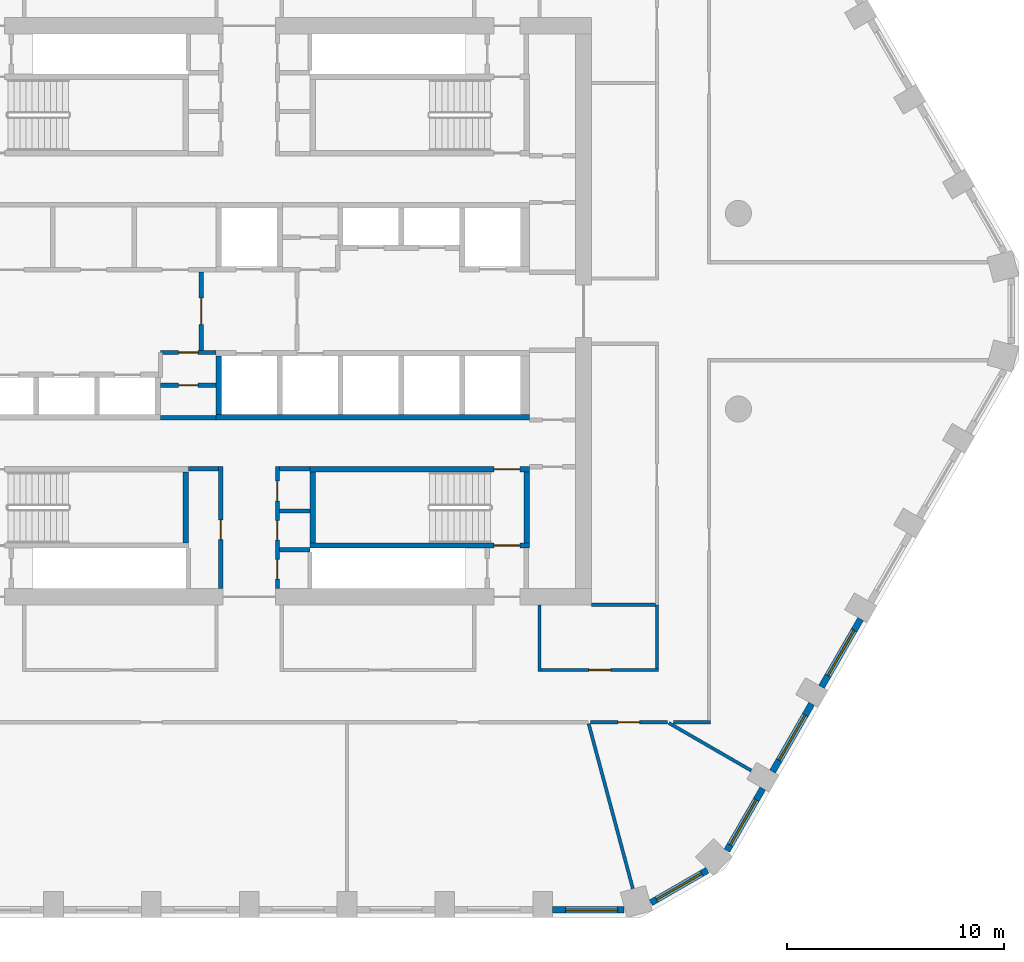
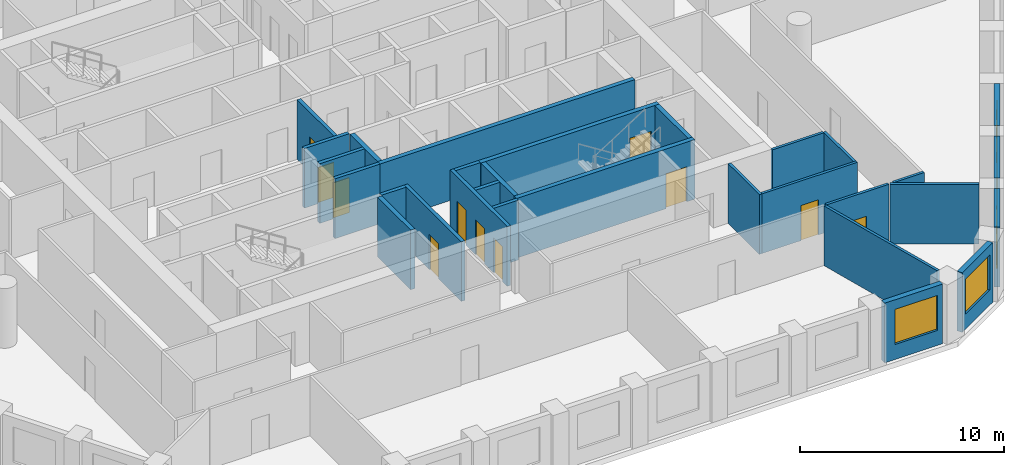
# One storey, part 4 of 10: 30 walls, 11 doors, 5 windows, 16 openings.
"""IFC4 building model written with IfcOpenShell, lengths in metres."""

from ifc_helpers import new_model, si_unit, direction, frame, frame_2d, origin, place, context, subcontext, project, spatial, polyline, rectangle, outline, extrude, material, layer, layer_set, type_object, element, fill, save


model = new_model("IFC4")

# Units and contexts
model_context = context("Model", 3, precision=1e-05, world=origin(), true_north=direction((0.0, 1.0)))
body_context = subcontext(model_context, "Body", "Model", "MODEL_VIEW")
ifc_project = project(units=[si_unit("LENGTHUNIT", "METRE"), si_unit("AREAUNIT", "SQUARE_METRE"), si_unit("VOLUMEUNIT", "CUBIC_METRE"), si_unit("PLANEANGLEUNIT", "RADIAN"), si_unit("MASSUNIT", "GRAM", prefix="KILO")], contexts=[model_context])

# Site, building, storey
site_placement = place(None, origin())
site = spatial("IfcSite", under=ifc_project, at=site_placement, CompositionType="ELEMENT")
building_placement = place(site_placement, origin())
building = spatial("IfcBuilding", under=site, at=building_placement, Name="Dhurran Vertical Campus", CompositionType="ELEMENT")
storey_placement = place(building_placement, frame((0.0, 0.0, 144.300048828125)))
storey = spatial("IfcBuildingStorey", under=building, at=storey_placement, Name="L35", CompositionType="ELEMENT", Elevation=144.300048828125)

# Wall, opening, window
ifc_material_1 = material(Name="Precast concrete C50/60", Category="concrete")
ifc_layer_1 = layer(ifc_material_1, 0.300048828125)
ifc_layer_set_1 = layer_set([ifc_layer_1], Name="Precast concrete C50/60")
wall_type_1 = type_object("IfcWallType", Name="Precast spandrel wall 300", PredefinedType="SOLIDWALL", material=ifc_layer_set_1)
wall_1_placement = place(storey_placement, frame((13.950439453125, -27.53271484375, 0.0), z_axis=(0.0, 0.0, 1.0), x_axis=(1.0, 0.0, 0.0)))
wall_1 = element("IfcWall", 1, at=wall_1_placement, inside=storey, type_object=wall_type_1, Name="EW1 L35.07", PredefinedType="SOLIDWALL", context=body_context, shape_type="SweptSolid", body=[
    extrude(rectangle(XDim=3.294189453125, YDim=0.300048828125, at=frame_2d((1.64697265625, 0.0))), origin(), (0.0, 0.0, 1.0), 3.574951171875),
])
opening_1_placement = place(wall_1_placement, frame((0.599609375, 0.0, 0.89990234375)))
opening_1 = element("IfcOpeningElement", 2, at=opening_1_placement, cuts=wall_1, Name="Opening WT1", PredefinedType="OPENING", context=body_context, shape_type="SweptSolid", body=[
    extrude(rectangle(XDim=2.39990234375, YDim=2.10009765625, at=frame_2d((1.199951171875, 1.050048828125))), frame((0.0, 0.159912109375, 0.0), z_axis=(0.0, -1.0, 0.0), x_axis=(1.0, 0.0, 0.0)), (0.0, 0.0, 1.0), 0.320068359375),
])
ifc_material_2 = material(Name="Aluminium frame with solar-control glass", Category="aluminium")
window_type = type_object("IfcWindowType", Name="Punched window 2400 x 2100", PartitioningType="SINGLE_PANEL", PredefinedType="WINDOW", material=ifc_material_2)
window_1_placement = place(opening_1_placement, origin())
window_1 = element("IfcWindow", 3, at=window_1_placement, inside=storey, type_object=window_type, Name="WT1 L35.07", OverallHeight=2.10009765625, OverallWidth=2.39990234375, PartitioningType="SINGLE_PANEL", PredefinedType="WINDOW", context=body_context, shape_type="SweptSolid", body=[
    extrude(rectangle(XDim=2.39990234375, YDim=2.10009765625, at=frame_2d((1.199951171875, 1.050048828125))), frame((0.0, 0.030029296875, 0.0), z_axis=(0.0, -1.0, 0.0), x_axis=(1.0, 0.0, 0.0)), (0.0, 0.0, 1.0), 0.06005859375),
])
fill(opening_1, window_1)

wall_2_placement = place(storey_placement, frame((18.479248046875, -27.201904296875, 0.0), z_axis=(0.0, 0.0, 1.0), x_axis=(0.866012844897, 0.500021752, 0.0)))
wall_2 = element("IfcWall", 4, at=wall_2_placement, inside=storey, type_object=wall_type_1, Name="EW1 L35.08", PredefinedType="SOLIDWALL", context=body_context, shape_type="SweptSolid", body=[
    extrude(rectangle(XDim=2.989013671875, YDim=0.300048828125, at=frame_2d((1.49462890625, 0.0))), origin(), (0.0, 0.0, 1.0), 3.574951171875),
])
opening_2_placement = place(wall_2_placement, frame((0.294677734375, 0.0, 0.89990234375)))
opening_2 = element("IfcOpeningElement", 5, at=opening_2_placement, cuts=wall_2, Name="Opening WT1", PredefinedType="OPENING", context=body_context, shape_type="SweptSolid", body=[
    extrude(rectangle(XDim=2.39990234375, YDim=2.10009765625, at=frame_2d((1.199951171875, 1.050048828125))), frame((0.0, 0.159912109375, 0.0), z_axis=(0.0, -1.0, 0.0), x_axis=(1.0, 0.0, 0.0)), (0.0, 0.0, 1.0), 0.320068359375),
])
window_2_placement = place(opening_2_placement, origin())
window_2 = element("IfcWindow", 6, at=window_2_placement, inside=storey, type_object=window_type, Name="WT1 L35.08", OverallHeight=2.10009765625, OverallWidth=2.39990234375, PartitioningType="SINGLE_PANEL", PredefinedType="WINDOW", context=body_context, shape_type="SweptSolid", body=[
    extrude(rectangle(XDim=2.39990234375, YDim=2.10009765625, at=frame_2d((1.199951171875, 1.050048828125))), frame((0.0, 0.030029296875, 0.0), z_axis=(0.0, -1.0, 0.0), x_axis=(1.0, 0.0, 0.0)), (0.0, 0.0, 1.0), 0.06005859375),
])
fill(opening_2, window_2)

wall_3_placement = place(storey_placement, frame((21.9716796875, -24.803466796875, 0.0), z_axis=(0.0, 0.0, 1.0), x_axis=(0.500036802197, 0.866004154983, 0.0)))
wall_3 = element("IfcWall", 7, at=wall_3_placement, inside=storey, type_object=wall_type_1, Name="EW1 L35.09", PredefinedType="SOLIDWALL", context=body_context, shape_type="SweptSolid", body=[
    extrude(rectangle(XDim=3.294189453125, YDim=0.300048828125, at=frame_2d((1.64697265625, 0.0))), origin(), (0.0, 0.0, 1.0), 3.574951171875),
])
opening_3_placement = place(wall_3_placement, frame((0.29443359375, 0.0, 0.89990234375)))
opening_3 = element("IfcOpeningElement", 8, at=opening_3_placement, cuts=wall_3, Name="Opening WT1", PredefinedType="OPENING", context=body_context, shape_type="SweptSolid", body=[
    extrude(rectangle(XDim=2.39990234375, YDim=2.10009765625, at=frame_2d((1.199951171875, 1.050048828125))), frame((0.0, 0.159912109375, 0.0), z_axis=(0.0, -1.0, 0.0), x_axis=(1.0, 0.0, 0.0)), (0.0, 0.0, 1.0), 0.320068359375),
])
window_3_placement = place(opening_3_placement, origin())
window_3 = element("IfcWindow", 9, at=window_3_placement, inside=storey, type_object=window_type, Name="WT1 L35.09", OverallHeight=2.10009765625, OverallWidth=2.39990234375, PartitioningType="SINGLE_PANEL", PredefinedType="WINDOW", context=body_context, shape_type="SweptSolid", body=[
    extrude(rectangle(XDim=2.39990234375, YDim=2.10009765625, at=frame_2d((1.199951171875, 1.050048828125))), frame((0.0, 0.030029296875, 0.0), z_axis=(0.0, -1.0, 0.0), x_axis=(1.0, 0.0, 0.0)), (0.0, 0.0, 1.0), 0.06005859375),
])
fill(opening_3, window_3)

wall_4_placement = place(storey_placement, frame((24.0693359375, -21.17041015625, 0.0), z_axis=(0.0, 0.0, 1.0), x_axis=(0.500027802648, 0.866009351323, 0.0)))
wall_4 = element("IfcWall", 10, at=wall_4_placement, inside=storey, type_object=wall_type_1, Name="EW1 L35.10", PredefinedType="SOLIDWALL", context=body_context, shape_type="SweptSolid", body=[
    extrude(rectangle(XDim=3.598876953125, YDim=0.300048828125, at=frame_2d((1.79931640625, 0.0))), origin(), (0.0, 0.0, 1.0), 3.574951171875),
])
opening_4_placement = place(wall_4_placement, frame((0.599609375, 0.0, 0.89990234375)))
opening_4 = element("IfcOpeningElement", 11, at=opening_4_placement, cuts=wall_4, Name="Opening WT1", PredefinedType="OPENING", context=body_context, shape_type="SweptSolid", body=[
    extrude(rectangle(XDim=2.39990234375, YDim=2.10009765625, at=frame_2d((1.199951171875, 1.050048828125))), frame((0.0, 0.159912109375, 0.0), z_axis=(0.0, -1.0, 0.0), x_axis=(1.0, 0.0, 0.0)), (0.0, 0.0, 1.0), 0.320068359375),
])
window_4_placement = place(opening_4_placement, origin())
window_4 = element("IfcWindow", 12, at=window_4_placement, inside=storey, type_object=window_type, Name="WT1 L35.10", OverallHeight=2.10009765625, OverallWidth=2.39990234375, PartitioningType="SINGLE_PANEL", PredefinedType="WINDOW", context=body_context, shape_type="SweptSolid", body=[
    extrude(rectangle(XDim=2.39990234375, YDim=2.10009765625, at=frame_2d((1.199951171875, 1.050048828125))), frame((0.0, 0.030029296875, 0.0), z_axis=(0.0, -1.0, 0.0), x_axis=(1.0, 0.0, 0.0)), (0.0, 0.0, 1.0), 0.06005859375),
])
fill(opening_4, window_4)

wall_5_placement = place(storey_placement, frame((26.3193359375, -17.273193359375, 0.0), z_axis=(0.0, 0.0, 1.0), x_axis=(0.500027802648, 0.866009351323, 0.0)))
wall_5 = element("IfcWall", 13, at=wall_5_placement, inside=storey, type_object=wall_type_1, Name="EW1 L35.11", PredefinedType="SOLIDWALL", context=body_context, shape_type="SweptSolid", body=[
    extrude(rectangle(XDim=3.598876953125, YDim=0.300048828125, at=frame_2d((1.79931640625, 0.0))), origin(), (0.0, 0.0, 1.0), 3.574951171875),
])
opening_5_placement = place(wall_5_placement, frame((0.599609375, 0.0, 0.89990234375)))
opening_5 = element("IfcOpeningElement", 14, at=opening_5_placement, cuts=wall_5, Name="Opening WT1", PredefinedType="OPENING", context=body_context, shape_type="SweptSolid", body=[
    extrude(rectangle(XDim=2.39990234375, YDim=2.10009765625, at=frame_2d((1.199951171875, 1.050048828125))), frame((0.0, 0.159912109375, 0.0), z_axis=(0.0, -1.0, 0.0), x_axis=(1.0, 0.0, 0.0)), (0.0, 0.0, 1.0), 0.320068359375),
])
window_5_placement = place(opening_5_placement, origin())
window_5 = element("IfcWindow", 15, at=window_5_placement, inside=storey, type_object=window_type, Name="WT1 L35.11", OverallHeight=2.10009765625, OverallWidth=2.39990234375, PartitioningType="SINGLE_PANEL", PredefinedType="WINDOW", context=body_context, shape_type="SweptSolid", body=[
    extrude(rectangle(XDim=2.39990234375, YDim=2.10009765625, at=frame_2d((1.199951171875, 1.050048828125))), frame((0.0, 0.030029296875, 0.0), z_axis=(0.0, -1.0, 0.0), x_axis=(1.0, 0.0, 0.0)), (0.0, 0.0, 1.0), 0.06005859375),
])
fill(opening_5, window_5)

# Wall, opening, door
ifc_material_3 = material(Name="Fire-rated masonry blockwork", Category="masonry")
ifc_layer_2 = layer(ifc_material_3, 0.199951171875)
ifc_layer_set_2 = layer_set([ifc_layer_2], Name="Fire-rated masonry blockwork")
wall_type_2 = type_object("IfcWallType", Name="co-FIRE-PARTITION-200", PredefinedType="PARTITIONING", material=ifc_layer_set_2)
wall_6_placement = place(storey_placement, frame((-2.199951171875, -1.800048828125, 0.0), z_axis=(0.0, 0.0, 1.0), x_axis=(0.0, 1.0, 0.0)))
wall_6 = element("IfcWall", 16, at=wall_6_placement, inside=storey, type_object=wall_type_2, Name="Firefighting lobby wall W L35", PredefinedType="PARTITIONING", context=body_context, shape_type="SweptSolid", body=[
    extrude(rectangle(XDim=3.60009765625, YDim=0.199951171875, at=frame_2d((1.800048828125, 0.0))), origin(), (0.0, 0.0, 1.0), 3.574951171875),
])
opening_6_placement = place(wall_6_placement, frame((1.199951171875, 0.0, 0.0)))
opening_6 = element("IfcOpeningElement", 17, at=opening_6_placement, cuts=wall_6, Name="Opening FL1", PredefinedType="OPENING", context=body_context, shape_type="SweptSolid", body=[
    extrude(rectangle(XDim=1.199951171875, YDim=2.10009765625, at=frame_2d((0.60009765625, 1.050048828125))), frame((0.0, 0.10986328125, 0.0), z_axis=(0.0, -1.0, 0.0), x_axis=(1.0, 0.0, 0.0)), (0.0, 0.0, 1.0), 0.219970703125),
])
ifc_material_4 = material(Name="Fire-rated steel door set", Category="steel")
door_type_1 = type_object("IfcDoorType", Name="co-D-FFLOBBY 1200x2100", OperationType="SINGLE_SWING_LEFT", PredefinedType="DOOR", material=ifc_material_4)
door_1_placement = place(opening_6_placement, origin())
door_1 = element("IfcDoor", 18, at=door_1_placement, inside=storey, type_object=door_type_1, Name="Firefighting lobby door W L35", OperationType="SINGLE_SWING_LEFT", OverallHeight=2.10009765625, OverallWidth=1.199951171875, PredefinedType="DOOR", context=body_context, shape_type="SweptSolid", body=[
    extrude(rectangle(XDim=1.199951171875, YDim=2.10009765625, at=frame_2d((0.60009765625, 1.050048828125))), frame((0.0, 0.02490234375, 0.0), z_axis=(0.0, -1.0, 0.0), x_axis=(1.0, 0.0, 0.0)), (0.0, 0.0, 1.0), 0.050048828125),
])
fill(opening_6, door_1)

# Walls
for number, where, z_axis, x_axis, name in (
    (19, (-2.800048828125, -7.25, 0.0), (0.0, 0.0, 1.0), (1.0, 0.0, 0.0), "Core partition sl-SW-S L35"),
    (20, (1.39990234375, -7.25, 0.0), (0.0, 0.0, 1.0), (1.0, 0.0, 0.0), "Core partition sl-SE-S L35"),
    (21, (1.39990234375, -9.18603515625, 0.0), (0.0, 0.0, 1.0), (1.0, 0.0, 0.0), "Core partition sl-SE-cut0 L35"),
    (22, (1.39990234375, -10.968017578125, 0.0), (0.0, 0.0, 1.0), (1.0, 0.0, 0.0), "Core partition sl-SE-cut1 L35"),
):
    element("IfcWall", number, at=place(storey_placement, frame(where, z_axis=z_axis, x_axis=x_axis)), inside=storey, type_object=wall_type_2, Name=name, PredefinedType="PARTITIONING", context=body_context, shape_type="SweptSolid", body=[
        extrude(rectangle(XDim=1.400146484375, YDim=0.199951171875, at=frame_2d((0.7001953125, 0.0))), origin(), (0.0, 0.0, 1.0), 3.574951171875),
    ])

# Wall, opening, door
wall_7_placement = place(storey_placement, frame((-1.300048828125, -12.75, 0.0), z_axis=(0.0, 0.0, 1.0), x_axis=(0.0, 1.0, 0.0)))
wall_7 = element("IfcWall", 23, at=wall_7_placement, inside=storey, type_object=wall_type_2, Name="Core partition vest-SW L35", PredefinedType="PARTITIONING", context=body_context, shape_type="SweptSolid", body=[
    extrude(rectangle(XDim=5.60009765625, YDim=0.199951171875, at=frame_2d((2.800048828125, 0.0))), origin(), (0.0, 0.0, 1.0), 3.574951171875),
])
opening_7_placement = place(wall_7_placement, frame((2.25, 0.0, 0.0)))
opening_7 = element("IfcOpeningElement", 24, at=opening_7_placement, cuts=wall_7, Name="Opening T10-C1", PredefinedType="OPENING", context=body_context, shape_type="SweptSolid", body=[
    extrude(rectangle(XDim=0.89990234375, YDim=2.10009765625, at=frame_2d((0.449951171875, 1.050048828125))), frame((0.0, 0.10986328125, 0.0), z_axis=(0.0, -1.0, 0.0), x_axis=(1.0, 0.0, 0.0)), (0.0, 0.0, 1.0), 0.219970703125),
])
ifc_material_5 = material(Name="Fire-rated timber door set", Category="wood")
door_type_2 = type_object("IfcDoorType", Name="co-D-ROOM 900x2100", OperationType="SINGLE_SWING_LEFT", PredefinedType="DOOR", material=ifc_material_5)
door_2_placement = place(opening_7_placement, origin())
door_2 = element("IfcDoor", 25, at=door_2_placement, inside=storey, type_object=door_type_2, Name="Print room door L35", OperationType="SINGLE_SWING_LEFT", OverallHeight=2.10009765625, OverallWidth=0.89990234375, PredefinedType="DOOR", context=body_context, shape_type="SweptSolid", body=[
    extrude(rectangle(XDim=0.89990234375, YDim=2.10009765625, at=frame_2d((0.449951171875, 1.050048828125))), frame((0.0, 0.02490234375, 0.0), z_axis=(0.0, -1.0, 0.0), x_axis=(1.0, 0.0, 0.0)), (0.0, 0.0, 1.0), 0.050048828125),
])
fill(opening_7, door_2)

# Wall, openings, doors
wall_8_placement = place(storey_placement, frame((1.300048828125, -12.75, 0.0), z_axis=(0.0, 0.0, 1.0), x_axis=(0.0, 1.0, 0.0)))
wall_8 = element("IfcWall", 26, at=wall_8_placement, inside=storey, type_object=wall_type_2, Name="Core partition vest-SE L35", PredefinedType="PARTITIONING", context=body_context, shape_type="SweptSolid", body=[
    extrude(rectangle(XDim=5.60009765625, YDim=0.199951171875, at=frame_2d((2.800048828125, 0.0))), origin(), (0.0, 0.0, 1.0), 3.574951171875),
])
opening_8_placement = place(wall_8_placement, frame((0.44091796875, 0.0, 0.0)))
opening_8 = element("IfcOpeningElement", 27, at=opening_8_placement, cuts=wall_8, Name="Opening T10-C2", PredefinedType="OPENING", context=body_context, shape_type="SweptSolid", body=[
    extrude(rectangle(XDim=0.89990234375, YDim=2.10009765625, at=frame_2d((0.449951171875, 1.050048828125))), frame((0.0, 0.10986328125, 0.0), z_axis=(0.0, -1.0, 0.0), x_axis=(1.0, 0.0, 0.0)), (0.0, 0.0, 1.0), 0.219970703125),
])
opening_9_placement = place(wall_8_placement, frame((2.222900390625, 0.0, 0.0)))
opening_9 = element("IfcOpeningElement", 28, at=opening_9_placement, cuts=wall_8, Name="Opening T10-C3", PredefinedType="OPENING", context=body_context, shape_type="SweptSolid", body=[
    extrude(rectangle(XDim=0.89990234375, YDim=2.10009765625, at=frame_2d((0.449951171875, 1.050048828125))), frame((0.0, 0.10986328125, 0.0), z_axis=(0.0, -1.0, 0.0), x_axis=(1.0, 0.0, 0.0)), (0.0, 0.0, 1.0), 0.219970703125),
])
opening_10_placement = place(wall_8_placement, frame((4.031982421875, 0.0, 0.0)))
opening_10 = element("IfcOpeningElement", 29, at=opening_10_placement, cuts=wall_8, Name="Opening T10-C4", PredefinedType="OPENING", context=body_context, shape_type="SweptSolid", body=[
    extrude(rectangle(XDim=0.89990234375, YDim=2.10009765625, at=frame_2d((0.449951171875, 1.050048828125))), frame((0.0, 0.10986328125, 0.0), z_axis=(0.0, -1.0, 0.0), x_axis=(1.0, 0.0, 0.0)), (0.0, 0.0, 1.0), 0.219970703125),
])
door_3_placement = place(opening_8_placement, origin())
door_3 = element("IfcDoor", 30, at=door_3_placement, inside=storey, type_object=door_type_2, Name="Store door L35", OperationType="SINGLE_SWING_LEFT", OverallHeight=2.10009765625, OverallWidth=0.89990234375, PredefinedType="DOOR", context=body_context, shape_type="SweptSolid", body=[
    extrude(rectangle(XDim=0.89990234375, YDim=2.10009765625, at=frame_2d((0.449951171875, 1.050048828125))), frame((0.0, 0.02490234375, 0.0), z_axis=(0.0, -1.0, 0.0), x_axis=(1.0, 0.0, 0.0)), (0.0, 0.0, 1.0), 0.050048828125),
])
fill(opening_8, door_3)
door_4_placement = place(opening_9_placement, origin())
door_4 = element("IfcDoor", 31, at=door_4_placement, inside=storey, type_object=door_type_2, Name="Housekeeping store door L35", OperationType="SINGLE_SWING_LEFT", OverallHeight=2.10009765625, OverallWidth=0.89990234375, PredefinedType="DOOR", context=body_context, shape_type="SweptSolid", body=[
    extrude(rectangle(XDim=0.89990234375, YDim=2.10009765625, at=frame_2d((0.449951171875, 1.050048828125))), frame((0.0, 0.02490234375, 0.0), z_axis=(0.0, -1.0, 0.0), x_axis=(1.0, 0.0, 0.0)), (0.0, 0.0, 1.0), 0.050048828125),
])
fill(opening_9, door_4)
door_5_placement = place(opening_10_placement, origin())
door_5 = element("IfcDoor", 32, at=door_5_placement, inside=storey, type_object=door_type_2, Name="Plant room door L35", OperationType="SINGLE_SWING_LEFT", OverallHeight=2.10009765625, OverallWidth=0.89990234375, PredefinedType="DOOR", context=body_context, shape_type="SweptSolid", body=[
    extrude(rectangle(XDim=0.89990234375, YDim=2.10009765625, at=frame_2d((0.449951171875, 1.050048828125))), frame((0.0, 0.02490234375, 0.0), z_axis=(0.0, -1.0, 0.0), x_axis=(1.0, 0.0, 0.0)), (0.0, 0.0, 1.0), 0.050048828125),
])
fill(opening_10, door_5)

# Wall, opening, door
wall_9_placement = place(storey_placement, frame((-4.074951171875, -3.39990234375, 0.0), z_axis=(0.0, 0.0, 1.0), x_axis=(1.0, 0.0, 0.0)))
wall_9 = element("IfcWall", 33, at=wall_9_placement, inside=storey, type_object=wall_type_2, Name="Core partition fr-S0-c L35", PredefinedType="PARTITIONING", context=body_context, shape_type="SweptSolid", body=[
    extrude(rectangle(XDim=2.550048828125, YDim=0.199951171875, at=frame_2d((1.27490234375, 0.0))), origin(), (0.0, 0.0, 1.0), 3.574951171875),
])
opening_11_placement = place(wall_9_placement, frame((0.824951171875, 0.0, 0.0)))
opening_11 = element("IfcOpeningElement", 34, at=opening_11_placement, cuts=wall_9, Name="Opening T10-C28", PredefinedType="OPENING", context=body_context, shape_type="SweptSolid", body=[
    extrude(rectangle(XDim=0.89990234375, YDim=2.10009765625, at=frame_2d((0.449951171875, 1.050048828125))), frame((0.0, 0.10986328125, 0.0), z_axis=(0.0, -1.0, 0.0), x_axis=(1.0, 0.0, 0.0)), (0.0, 0.0, 1.0), 0.219970703125),
])
door_6_placement = place(opening_11_placement, origin())
door_6 = element("IfcDoor", 35, at=door_6_placement, inside=storey, type_object=door_type_2, Name="Store door L35", OperationType="SINGLE_SWING_LEFT", OverallHeight=2.10009765625, OverallWidth=0.89990234375, PredefinedType="DOOR", context=body_context, shape_type="SweptSolid", body=[
    extrude(rectangle(XDim=0.89990234375, YDim=2.10009765625, at=frame_2d((0.449951171875, 1.050048828125))), frame((0.0, 0.02490234375, 0.0), z_axis=(0.0, -1.0, 0.0), x_axis=(1.0, 0.0, 0.0)), (0.0, 0.0, 1.0), 0.050048828125),
])
fill(opening_11, door_6)

wall_10_placement = place(storey_placement, frame((-4.074951171875, -1.89990234375, 0.0), z_axis=(0.0, 0.0, 1.0), x_axis=(1.0, 0.0, 0.0)))
wall_10 = element("IfcWall", 36, at=wall_10_placement, inside=storey, type_object=wall_type_2, Name="Core partition fr-S0-f L35", PredefinedType="PARTITIONING", context=body_context, shape_type="SweptSolid", body=[
    extrude(rectangle(XDim=2.550048828125, YDim=0.199951171875, at=frame_2d((1.27490234375, 0.0))), origin(), (0.0, 0.0, 1.0), 3.574951171875),
])
opening_12_placement = place(wall_10_placement, frame((0.824951171875, 0.0, 0.0)))
opening_12 = element("IfcOpeningElement", 37, at=opening_12_placement, cuts=wall_10, Name="Opening T10-C29", PredefinedType="OPENING", context=body_context, shape_type="SweptSolid", body=[
    extrude(rectangle(XDim=0.89990234375, YDim=2.10009765625, at=frame_2d((0.449951171875, 1.050048828125))), frame((0.0, 0.10986328125, 0.0), z_axis=(0.0, -1.0, 0.0), x_axis=(1.0, 0.0, 0.0)), (0.0, 0.0, 1.0), 0.219970703125),
])
door_7_placement = place(opening_12_placement, origin())
door_7 = element("IfcDoor", 38, at=door_7_placement, inside=storey, type_object=door_type_2, Name="Plant room door L35", OperationType="SINGLE_SWING_LEFT", OverallHeight=2.10009765625, OverallWidth=0.89990234375, PredefinedType="DOOR", context=body_context, shape_type="SweptSolid", body=[
    extrude(rectangle(XDim=0.89990234375, YDim=2.10009765625, at=frame_2d((0.449951171875, 1.050048828125))), frame((0.0, 0.02490234375, 0.0), z_axis=(0.0, -1.0, 0.0), x_axis=(1.0, 0.0, 0.0)), (0.0, 0.0, 1.0), 0.050048828125),
])
fill(opening_12, door_7)

# Walls
wall_11_placement = place(storey_placement, frame((-4.074951171875, -4.89990234375, 0.0), z_axis=(0.0, 0.0, 1.0), x_axis=(1.0, 0.0, 0.0)))
element("IfcWall", 39, at=wall_11_placement, inside=storey, type_object=wall_type_2, Name="Core partition fr-S0-b L35", PredefinedType="PARTITIONING", context=body_context, shape_type="SweptSolid", body=[
    extrude(rectangle(XDim=2.550048828125, YDim=0.199951171875, at=frame_2d((1.27490234375, 0.0))), origin(), (0.0, 0.0, 1.0), 3.574951171875),
])
ifc_material_6 = material(Name="Concrete C50/60", Category="concrete")
ifc_layer_3 = layer(ifc_material_6, 0.25)
ifc_layer_set_3 = layer_set([ifc_layer_3], Name="Concrete C50/60")
wall_type_3 = type_object("IfcWallType", Name="co-SHAFT-MASS-250", PredefinedType="SHEAR", material=ifc_layer_set_3)
wall_12_placement = place(storey_placement, origin())
element("IfcWall", 40, at=wall_12_placement, inside=storey, type_object=wall_type_3, Name="Lift shaft wall S L35 2", PredefinedType="SHEAR", context=body_context, shape_type="SweptSolid", body=[
    extrude(outline(polyline([(-1.52490234375, -5.0), (12.89990234375, -5.0), (12.89990234375, -4.75), (-1.52490234375, -4.75), (-1.52490234375, -5.0)])), origin(), (0.0, 0.0, 1.0), 3.574951171875),
])
wall_13_placement = place(storey_placement, origin())
element("IfcWall", 41, at=wall_13_placement, inside=storey, type_object=wall_type_3, Name="Lift shaft wall S L35 7", PredefinedType="SHEAR", context=body_context, shape_type="SweptSolid", body=[
    extrude(outline(polyline([(-1.52490234375, -4.75), (-1.27490234375, -4.75), (-1.27490234375, -2.050048828125), (-1.52490234375, -2.050048828125), (-1.52490234375, -4.75)])), origin(), (0.0, 0.0, 1.0), 3.574951171875),
])
ifc_material_7 = material(Name="Concrete C40/50", Category="concrete")
ifc_layer_4 = layer(ifc_material_7, 0.25)
ifc_layer_set_4 = layer_set([ifc_layer_4], Name="Concrete C40/50")
wall_type_4 = type_object("IfcWallType", Name="co-STAIR-WALL-250", PredefinedType="SHEAR", material=ifc_layer_set_4)
wall_14_placement = place(storey_placement, frame((-2.925048828125, -10.64990234375, 0.0), z_axis=(0.0, 0.0, 1.0), x_axis=(0.0, 1.0, 0.0)))
element("IfcWall", 42, at=wall_14_placement, inside=storey, type_object=wall_type_4, Name="Stair ST3 enclosure wall L35", PredefinedType="SHEAR", context=body_context, shape_type="SweptSolid", body=[
    extrude(rectangle(XDim=3.25, YDim=0.25, at=frame_2d((1.625, 0.0))), origin(), (0.0, 0.0, 1.0), 3.574951171875),
])

# Wall, opening, door
wall_15_placement = place(storey_placement, frame((2.800048828125, -10.77490234375, 0.0), z_axis=(0.0, 0.0, 1.0), x_axis=(1.0, 0.0, 0.0)))
wall_15 = element("IfcWall", 43, at=wall_15_placement, inside=storey, type_object=wall_type_4, Name="Stair ST4 enclosure wall L35", PredefinedType="SHEAR", context=body_context, shape_type="SweptSolid", body=[
    extrude(rectangle(XDim=10.099853515625, YDim=0.25, at=frame_2d((5.0498046875, 0.0))), origin(), (0.0, 0.0, 1.0), 3.574951171875),
])
opening_13_placement = place(wall_15_placement, frame((8.449951171875, 0.0, 0.0)))
opening_13 = element("IfcOpeningElement", 44, at=opening_13_placement, cuts=wall_15, Name="Opening XS4", PredefinedType="OPENING", context=body_context, shape_type="SweptSolid", body=[
    extrude(rectangle(XDim=1.199951171875, YDim=2.10009765625, at=frame_2d((0.60009765625, 1.050048828125))), frame((0.0, 0.135009765625, 0.0), z_axis=(0.0, -1.0, 0.0), x_axis=(1.0, 0.0, 0.0)), (0.0, 0.0, 1.0), 0.27001953125),
])
ifc_material_8 = material(Name="Fire-rated steel door set", Category="steel")
door_type_3 = type_object("IfcDoorType", Name="co-D-STAIR-EXIT 1200x2100", OperationType="SINGLE_SWING_RIGHT", PredefinedType="DOOR", material=ifc_material_8)
door_8_placement = place(opening_13_placement, origin())
door_8 = element("IfcDoor", 45, at=door_8_placement, inside=storey, type_object=door_type_3, Name="Stair ST4 discharge door L35", OperationType="SINGLE_SWING_RIGHT", OverallHeight=2.10009765625, OverallWidth=1.199951171875, PredefinedType="DOOR", context=body_context, shape_type="SweptSolid", body=[
    extrude(rectangle(XDim=1.199951171875, YDim=2.10009765625, at=frame_2d((0.60009765625, 1.050048828125))), frame((0.0, 0.02490234375, 0.0), z_axis=(0.0, -1.0, 0.0), x_axis=(1.0, 0.0, 0.0)), (0.0, 0.0, 1.0), 0.050048828125),
])
fill(opening_13, door_8)

wall_16_placement = place(storey_placement, frame((2.800048828125, -7.27490234375, 0.0), z_axis=(0.0, 0.0, 1.0), x_axis=(1.0, 0.0, 0.0)))
wall_16 = element("IfcWall", 46, at=wall_16_placement, inside=storey, type_object=wall_type_4, Name="Stair ST4 enclosure wall L35", PredefinedType="SHEAR", context=body_context, shape_type="SweptSolid", body=[
    extrude(rectangle(XDim=10.099853515625, YDim=0.25, at=frame_2d((5.0498046875, 0.0))), origin(), (0.0, 0.0, 1.0), 3.574951171875),
])
opening_14_placement = place(wall_16_placement, frame((8.449951171875, 0.0, 0.0)))
opening_14 = element("IfcOpeningElement", 47, at=opening_14_placement, cuts=wall_16, Name="Opening SD4", PredefinedType="OPENING", context=body_context, shape_type="SweptSolid", body=[
    extrude(rectangle(XDim=1.199951171875, YDim=2.10009765625, at=frame_2d((0.60009765625, 1.050048828125))), frame((0.0, 0.135009765625, 0.0), z_axis=(0.0, -1.0, 0.0), x_axis=(1.0, 0.0, 0.0)), (0.0, 0.0, 1.0), 0.27001953125),
])
ifc_material_9 = material(Name="Fire-rated steel door set", Category="steel")
door_type_4 = type_object("IfcDoorType", Name="co-D-STAIR 1200x2100", OperationType="SINGLE_SWING_LEFT", PredefinedType="DOOR", material=ifc_material_9)
door_9_placement = place(opening_14_placement, origin())
door_9 = element("IfcDoor", 48, at=door_9_placement, inside=storey, type_object=door_type_4, Name="Stair ST4 door L35", OperationType="SINGLE_SWING_LEFT", OverallHeight=2.10009765625, OverallWidth=1.199951171875, PredefinedType="DOOR", context=body_context, shape_type="SweptSolid", body=[
    extrude(rectangle(XDim=1.199951171875, YDim=2.10009765625, at=frame_2d((0.60009765625, 1.050048828125))), frame((0.0, 0.02490234375, 0.0), z_axis=(0.0, -1.0, 0.0), x_axis=(1.0, 0.0, 0.0)), (0.0, 0.0, 1.0), 0.050048828125),
])
fill(opening_14, door_9)

# Walls
for number, where, z_axis, x_axis, name in (
    (49, (2.925048828125, -10.64990234375, 0.0), (0.0, 0.0, 1.0), (0.0, 1.0, 0.0), "Stair ST4 enclosure wall L35"),
    (50, (12.77490234375, -10.64990234375, 0.0), (0.0, 0.0, 1.0), (0.0, 1.0, 0.0), "Stair ST4 enclosure wall L35"),
):
    element("IfcWall", number, at=place(storey_placement, frame(where, z_axis=z_axis, x_axis=x_axis)), inside=storey, type_object=wall_type_4, Name=name, PredefinedType="SHEAR", context=body_context, shape_type="SweptSolid", body=[
        extrude(rectangle(XDim=3.25, YDim=0.25, at=frame_2d((1.625, 0.0))), origin(), (0.0, 0.0, 1.0), 3.574951171875),
    ])
ifc_material_10 = material(Name="Gypsum board corridor wall on steel studs", Category="steel")
ifc_layer_5 = layer(ifc_material_10, 0.14990234375)
ifc_layer_set_5 = layer_set([ifc_layer_5], Name="Gypsum board corridor wall on steel studs")
wall_type_5 = type_object("IfcWallType", Name="fl-CW-150 corridor wall", PredefinedType="PARTITIONING", material=ifc_layer_set_5)
wall_17_placement = place(storey_placement, frame((13.35009765625, -16.574951171875, 0.0), z_axis=(0.0, 0.0, 1.0), x_axis=(0.0, 1.0, 0.0)))
element("IfcWall", 51, at=wall_17_placement, inside=storey, type_object=wall_type_5, Name="Partition 35-45", PredefinedType="PARTITIONING", context=body_context, shape_type="SweptSolid", body=[
    extrude(rectangle(XDim=3.074951171875, YDim=0.14990234375, at=frame_2d((1.53759765625, 0.0))), origin(), (0.0, 0.0, 1.0), 3.574951171875),
])

# Wall, opening, door
wall_18_placement = place(storey_placement, frame((18.824951171875, -16.5, 0.0), z_axis=(0.0, 0.0, 1.0), x_axis=(-1.0, 0.0, 0.0)))
wall_18 = element("IfcWall", 52, at=wall_18_placement, inside=storey, type_object=wall_type_5, Name="Partition 35-46", PredefinedType="PARTITIONING", context=body_context, shape_type="SweptSolid", body=[
    extrude(rectangle(XDim=5.39990234375, YDim=0.14990234375, at=frame_2d((2.699951171875, 0.0))), origin(), (0.0, 0.0, 1.0), 3.574951171875),
])
opening_15_placement = place(wall_18_placement, frame((2.199951171875, 0.0, 0.0)))
opening_15 = element("IfcOpeningElement", 53, at=opening_15_placement, cuts=wall_18, Name="Opening T10.18", PredefinedType="OPENING", context=body_context, shape_type="SweptSolid", body=[
    extrude(rectangle(XDim=1.0, YDim=2.10009765625, at=frame_2d((0.5, 1.050048828125))), frame((0.0, 0.0849609375, 0.0), z_axis=(0.0, -1.0, 0.0), x_axis=(1.0, 0.0, 0.0)), (0.0, 0.0, 1.0), 0.169921875),
])
ifc_material_11 = material(Name="Solid-core timber door set, fire-rated", Category="wood")
door_type_5 = type_object("IfcDoorType", Name="fl-D-1000x2100", OperationType="SINGLE_SWING_LEFT", PredefinedType="DOOR", material=ifc_material_11)
door_10_placement = place(opening_15_placement, origin())
door_10 = element("IfcDoor", 54, at=door_10_placement, inside=storey, type_object=door_type_5, Name="Door 35.18", OperationType="SINGLE_SWING_RIGHT", OverallHeight=2.10009765625, OverallWidth=1.0, PredefinedType="DOOR", context=body_context, shape_type="SweptSolid", body=[
    extrude(rectangle(XDim=1.0, YDim=2.10009765625, at=frame_2d((0.5, 1.050048828125))), frame((0.0, 0.02490234375, 0.0), z_axis=(0.0, -1.0, 0.0), x_axis=(1.0, 0.0, 0.0)), (0.0, 0.0, 1.0), 0.050048828125),
])
fill(opening_15, door_10)

wall_19_placement = place(storey_placement, frame((15.68798828125, -18.89990234375, 0.0), z_axis=(0.0, 0.0, 1.0), x_axis=(1.0, 0.0, 0.0)))
wall_19 = element("IfcWall", 55, at=wall_19_placement, inside=storey, type_object=wall_type_5, Name="Partition 35-50", PredefinedType="PARTITIONING", context=body_context, shape_type="SweptSolid", body=[
    extrude(rectangle(XDim=3.548095703125, YDim=0.14990234375, at=frame_2d((1.77392578125, 0.0))), origin(), (0.0, 0.0, 1.0), 3.574951171875),
])
opening_16_placement = place(wall_19_placement, frame((1.27392578125, 0.0, 0.0)))
opening_16 = element("IfcOpeningElement", 56, at=opening_16_placement, cuts=wall_19, Name="Opening T10.22", PredefinedType="OPENING", context=body_context, shape_type="SweptSolid", body=[
    extrude(rectangle(XDim=1.0, YDim=2.10009765625, at=frame_2d((0.5, 1.050048828125))), frame((0.0, 0.0849609375, 0.0), z_axis=(0.0, -1.0, 0.0), x_axis=(1.0, 0.0, 0.0)), (0.0, 0.0, 1.0), 0.169921875),
])
door_11_placement = place(opening_16_placement, origin())
door_11 = element("IfcDoor", 57, at=door_11_placement, inside=storey, type_object=door_type_5, Name="Door 35.22", OperationType="SINGLE_SWING_LEFT", OverallHeight=2.10009765625, OverallWidth=1.0, PredefinedType="DOOR", context=body_context, shape_type="SweptSolid", body=[
    extrude(rectangle(XDim=1.0, YDim=2.10009765625, at=frame_2d((0.5, 1.050048828125))), frame((0.0, 0.02490234375, 0.0), z_axis=(0.0, -1.0, 0.0), x_axis=(1.0, 0.0, 0.0)), (0.0, 0.0, 1.0), 0.050048828125),
])
fill(opening_16, door_11)

# Walls
wall_20_placement = place(storey_placement, frame((18.75, -13.5, 0.0), z_axis=(0.0, 0.0, 1.0), x_axis=(0.0, -1.0, 0.0)))
element("IfcWall", 58, at=wall_20_placement, inside=storey, type_object=wall_type_5, Name="Partition 35-57", PredefinedType="PARTITIONING", context=body_context, shape_type="SweptSolid", body=[
    extrude(rectangle(XDim=2.925048828125, YDim=0.14990234375, at=frame_2d((1.46240234375, 0.0))), origin(), (0.0, 0.0, 1.0), 3.574951171875),
])
wall_21_placement = place(storey_placement, frame((19.510986328125, -18.89990234375, 0.0), z_axis=(0.0, 0.0, 1.0), x_axis=(1.0, 0.0, 0.0)))
element("IfcWall", 59, at=wall_21_placement, inside=storey, type_object=wall_type_5, Name="Partition 35-61", PredefinedType="PARTITIONING", context=body_context, shape_type="SweptSolid", body=[
    extrude(rectangle(XDim=1.714111328125, YDim=0.14990234375, at=frame_2d((0.85693359375, 0.0))), origin(), (0.0, 0.0, 1.0), 3.574951171875),
])
ifc_material_12 = material(Name="Folding acoustic partition panels")
ifc_layer_6 = layer(ifc_material_12, 0.14990234375)
ifc_layer_set_6 = layer_set([ifc_layer_6], Name="Folding acoustic partition panels")
wall_type_6 = type_object("IfcWallType", Name="fl-MW-150 movable partition", PredefinedType="MOVABLE", material=ifc_layer_set_6)
wall_22_placement = place(storey_placement, frame((15.6123046875, -18.972412109375, 0.0), z_axis=(0.0, 0.0, 1.0), x_axis=(0.258869363255, -0.965912342176, 0.0)))
element("IfcWall", 60, at=wall_22_placement, inside=storey, type_object=wall_type_6, Name="Partition 35-49", PredefinedType="MOVABLE", context=body_context, shape_type="SweptSolid", body=[
    extrude(rectangle(XDim=7.84375, YDim=0.14990234375, at=frame_2d((3.921875, 0.0))), origin(), (0.0, 0.0, 1.0), 3.574951171875),
])
ifc_material_13 = material(Name="Gypsum board partition on steel studs", Category="steel")
ifc_layer_7 = layer(ifc_material_13, 0.14990234375)
ifc_layer_set_7 = layer_set([ifc_layer_7], Name="Gypsum board partition on steel studs")
wall_type_7 = type_object("IfcWallType", Name="fl-PW-150 fixed partition", PredefinedType="PARTITIONING", material=ifc_layer_set_7)
wall_23_placement = place(storey_placement, frame((15.75, -13.5, 0.0), z_axis=(0.0, 0.0, 1.0), x_axis=(1.0, 0.0, 0.0)))
element("IfcWall", 61, at=wall_23_placement, inside=storey, type_object=wall_type_7, Name="Partition 35-53", PredefinedType="PARTITIONING", context=body_context, shape_type="SweptSolid", body=[
    extrude(rectangle(XDim=2.925048828125, YDim=0.14990234375, at=frame_2d((1.46240234375, 0.0))), origin(), (0.0, 0.0, 1.0), 3.574951171875),
])
wall_24_placement = place(storey_placement, frame((19.30078125, -18.9375, 0.0), z_axis=(0.0, 0.0, 1.0), x_axis=(0.865968165673, -0.500099126214, 0.0)))
element("IfcWall", 62, at=wall_24_placement, inside=storey, type_object=wall_type_7, Name="Partition 35-62", PredefinedType="PARTITIONING", context=body_context, shape_type="SweptSolid", body=[
    extrude(rectangle(XDim=4.3759765625, YDim=0.14990234375, at=frame_2d((2.18798828125, 0.0))), origin(), (0.0, 0.0, 1.0), 3.574951171875),
])

save(model, "model.ifc")
